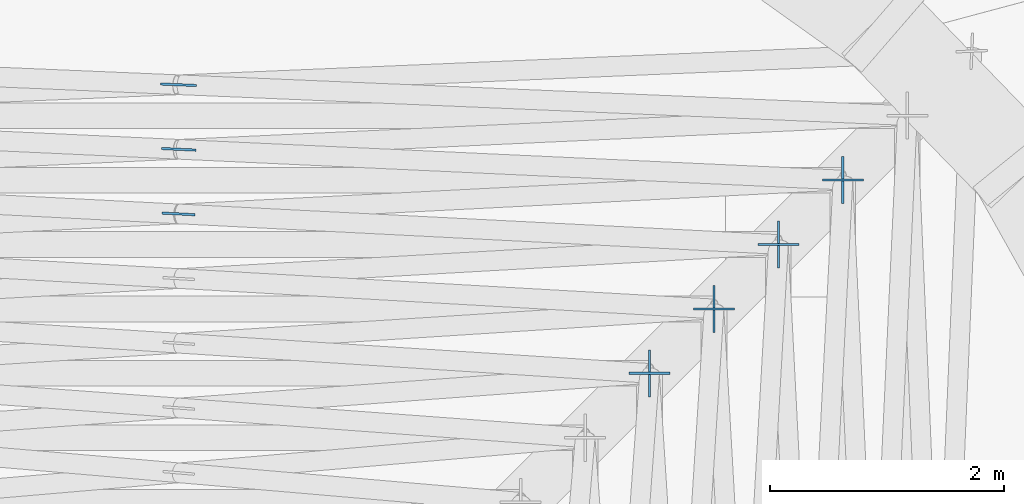
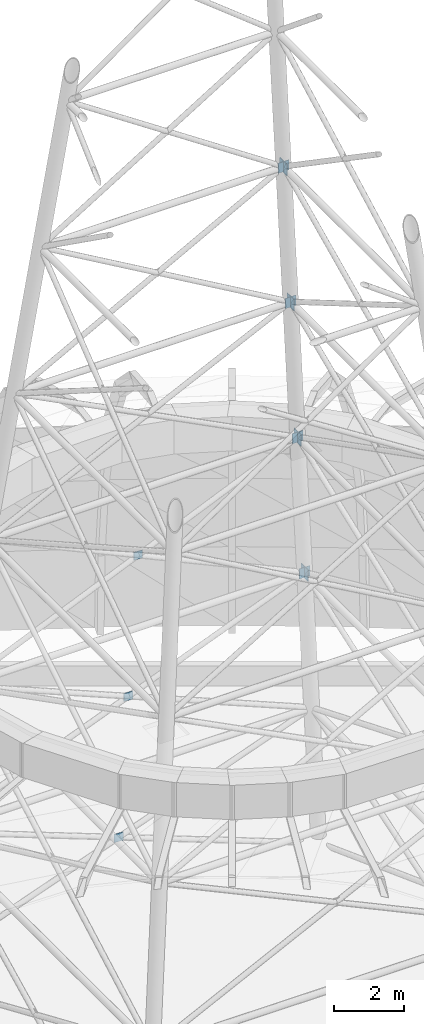
# One storey, part 14 of 27: 11 discrete accessories.
"""IFC4 building model written with IfcOpenShell, lengths in metres."""

from ifc_helpers import new_model, si_unit, direction, frame, origin, origin_2d, place, context, subcontext, project, spatial, rectangle, extrude, material, layer, layer_set, type_object, element, save


model = new_model("IFC4")

# Units and contexts
model_context = context("Model", 3, precision=1e-05, world=origin(), true_north=direction((0.0, 1.0)))
body_context = subcontext(model_context, "Body", "Model", "MODEL_VIEW")
ifc_project = project(units=[si_unit("LENGTHUNIT", "METRE"), si_unit("AREAUNIT", "SQUARE_METRE"), si_unit("VOLUMEUNIT", "CUBIC_METRE"), si_unit("PLANEANGLEUNIT", "RADIAN"), si_unit("MASSUNIT", "GRAM", prefix="KILO")], contexts=[model_context])

# Site, building, storey
site_placement = place(None, origin())
site = spatial("IfcSite", under=ifc_project, at=site_placement, CompositionType="ELEMENT")
building_placement = place(site_placement, origin())
building = spatial("IfcBuilding", under=site, at=building_placement, Name="Ayvan Gate Tower", CompositionType="ELEMENT")
storey_placement = place(building_placement, frame((0.0, 0.0, 267.699951171875)))
storey = spatial("IfcBuildingStorey", under=building, at=storey_placement, Name="Roof", CompositionType="ELEMENT", Elevation=267.699951171875)

# Discrete accessories
ifc_material = material(Name="Steel S460ML", Category="steel")
ifc_layer = layer(ifc_material, 0.02001953125)
ifc_layer_set = layer_set([ifc_layer], Name="Steel S460ML")
discrete_accessory_type = type_object("IfcDiscreteAccessoryType", Name="Gusset plate 20 mm", PredefinedType="BRACKET", material=ifc_layer_set)
discrete_accessory_1_placement = place(storey_placement, frame((0.0, 6.484619140625, 2.593994140625), z_axis=(0.0, 0.0, 1.0), x_axis=(-0.999104610978, 0.042308111772, 0.0)))
element("IfcDiscreteAccessory", 1, at=discrete_accessory_1_placement, inside=storey, type_object=discrete_accessory_type, Name="Gusset plate MAST BRACE 1-1B", PredefinedType="BRACKET", context=body_context, shape_type="SweptSolid", body=[
    extrude(rectangle(XDim=0.3076171875, YDim=0.02001953125, at=origin_2d()), origin(), (0.0, 0.0, 1.0), 0.28466796875),
])
discrete_accessory_2_placement = place(storey_placement, frame((0.0, 5.93359375, 7.8564453125), z_axis=(0.0, 0.0, 1.0), x_axis=(-0.99893157086, 0.046213815461, 0.0)))
element("IfcDiscreteAccessory", 2, at=discrete_accessory_2_placement, inside=storey, type_object=discrete_accessory_type, Name="Gusset plate MAST BRACE 2-1B", PredefinedType="BRACKET", context=body_context, shape_type="SweptSolid", body=[
    extrude(rectangle(XDim=0.2939453125, YDim=0.02001953125, at=origin_2d()), origin(), (0.0, 0.0, 1.0), 0.280029296875),
])
discrete_accessory_3_placement = place(storey_placement, frame((0.0, 5.382080078125, 13.121337890625), z_axis=(0.0, 0.0, 1.0), x_axis=(-0.998703058239, 0.050913666778, 0.0)))
element("IfcDiscreteAccessory", 3, at=discrete_accessory_3_placement, inside=storey, type_object=discrete_accessory_type, Name="Gusset plate MAST BRACE 3-1B", PredefinedType="BRACKET", context=body_context, shape_type="SweptSolid", body=[
    extrude(rectangle(XDim=0.28125, YDim=0.02001953125, at=origin_2d()), origin(), (0.0, 0.0, 1.0), 0.27490234375),
])
discrete_accessory_4_placement = place(storey_placement, frame((5.671142578125, 5.671142578125, 10.32470703125), z_axis=(0.0, 0.0, 1.0), x_axis=(1.0, 0.0, 0.0)))
element("IfcDiscreteAccessory", 4, at=discrete_accessory_4_placement, inside=storey, type_object=discrete_accessory_type, Name="Gusset plate MAST RING 2-1", PredefinedType="BRACKET", context=body_context, shape_type="SweptSolid", body=[
    extrude(rectangle(XDim=0.3505859375, YDim=0.02001953125, at=origin_2d()), origin(), (0.0, 0.0, 1.0), 0.3505859375),
])
discrete_accessory_5_placement = place(storey_placement, frame((5.671142578125, 5.671142578125, 10.29833984375), z_axis=(0.0, 0.0, 1.0), x_axis=(0.0, 1.0, 0.0)))
element("IfcDiscreteAccessory", 5, at=discrete_accessory_5_placement, inside=storey, type_object=discrete_accessory_type, Name="Gusset plate MAST RING 2-4", PredefinedType="BRACKET", context=body_context, shape_type="SweptSolid", body=[
    extrude(rectangle(XDim=0.403076171875, YDim=0.02001953125, at=origin_2d()), origin(), (0.0, 0.0, 1.0), 0.403076171875),
])
discrete_accessory_6_placement = place(storey_placement, frame((5.120849609375, 5.120849609375, 15.57470703125), z_axis=(0.0, 0.0, 1.0), x_axis=(1.0, 0.0, 0.0)))
element("IfcDiscreteAccessory", 6, at=discrete_accessory_6_placement, inside=storey, type_object=discrete_accessory_type, Name="Gusset plate MAST RING 3-1", PredefinedType="BRACKET", context=body_context, shape_type="SweptSolid", body=[
    extrude(rectangle(XDim=0.3505859375, YDim=0.02001953125, at=origin_2d()), origin(), (0.0, 0.0, 1.0), 0.3505859375),
])
discrete_accessory_7_placement = place(storey_placement, frame((5.120849609375, 5.120849609375, 15.54833984375), z_axis=(0.0, 0.0, 1.0), x_axis=(0.0, 1.0, 0.0)))
element("IfcDiscreteAccessory", 7, at=discrete_accessory_7_placement, inside=storey, type_object=discrete_accessory_type, Name="Gusset plate MAST RING 3-4", PredefinedType="BRACKET", context=body_context, shape_type="SweptSolid", body=[
    extrude(rectangle(XDim=0.403076171875, YDim=0.02001953125, at=origin_2d()), origin(), (0.0, 0.0, 1.0), 0.403076171875),
])
discrete_accessory_8_placement = place(storey_placement, frame((4.57080078125, 4.57080078125, 20.82470703125), z_axis=(0.0, 0.0, 1.0), x_axis=(1.0, 0.0, 0.0)))
element("IfcDiscreteAccessory", 8, at=discrete_accessory_8_placement, inside=storey, type_object=discrete_accessory_type, Name="Gusset plate MAST RING 4-1", PredefinedType="BRACKET", context=body_context, shape_type="SweptSolid", body=[
    extrude(rectangle(XDim=0.3505859375, YDim=0.02001953125, at=origin_2d()), origin(), (0.0, 0.0, 1.0), 0.3505859375),
])
discrete_accessory_9_placement = place(storey_placement, frame((4.57080078125, 4.57080078125, 20.79833984375), z_axis=(0.0, 0.0, 1.0), x_axis=(0.0, 1.0, 0.0)))
element("IfcDiscreteAccessory", 9, at=discrete_accessory_9_placement, inside=storey, type_object=discrete_accessory_type, Name="Gusset plate MAST RING 4-4", PredefinedType="BRACKET", context=body_context, shape_type="SweptSolid", body=[
    extrude(rectangle(XDim=0.403076171875, YDim=0.02001953125, at=origin_2d()), origin(), (0.0, 0.0, 1.0), 0.403076171875),
])
discrete_accessory_10_placement = place(storey_placement, frame((4.0205078125, 4.0205078125, 26.07470703125), z_axis=(0.0, 0.0, 1.0), x_axis=(1.0, 0.0, 0.0)))
element("IfcDiscreteAccessory", 10, at=discrete_accessory_10_placement, inside=storey, type_object=discrete_accessory_type, Name="Gusset plate MAST RING 5-1", PredefinedType="BRACKET", context=body_context, shape_type="SweptSolid", body=[
    extrude(rectangle(XDim=0.3505859375, YDim=0.02001953125, at=origin_2d()), origin(), (0.0, 0.0, 1.0), 0.3505859375),
])
discrete_accessory_11_placement = place(storey_placement, frame((4.0205078125, 4.0205078125, 26.04833984375), z_axis=(0.0, 0.0, 1.0), x_axis=(0.0, 1.0, 0.0)))
element("IfcDiscreteAccessory", 11, at=discrete_accessory_11_placement, inside=storey, type_object=discrete_accessory_type, Name="Gusset plate MAST RING 5-4", PredefinedType="BRACKET", context=body_context, shape_type="SweptSolid", body=[
    extrude(rectangle(XDim=0.403076171875, YDim=0.02001953125, at=origin_2d()), origin(), (0.0, 0.0, 1.0), 0.403076171875),
])

save(model, "model.ifc")
